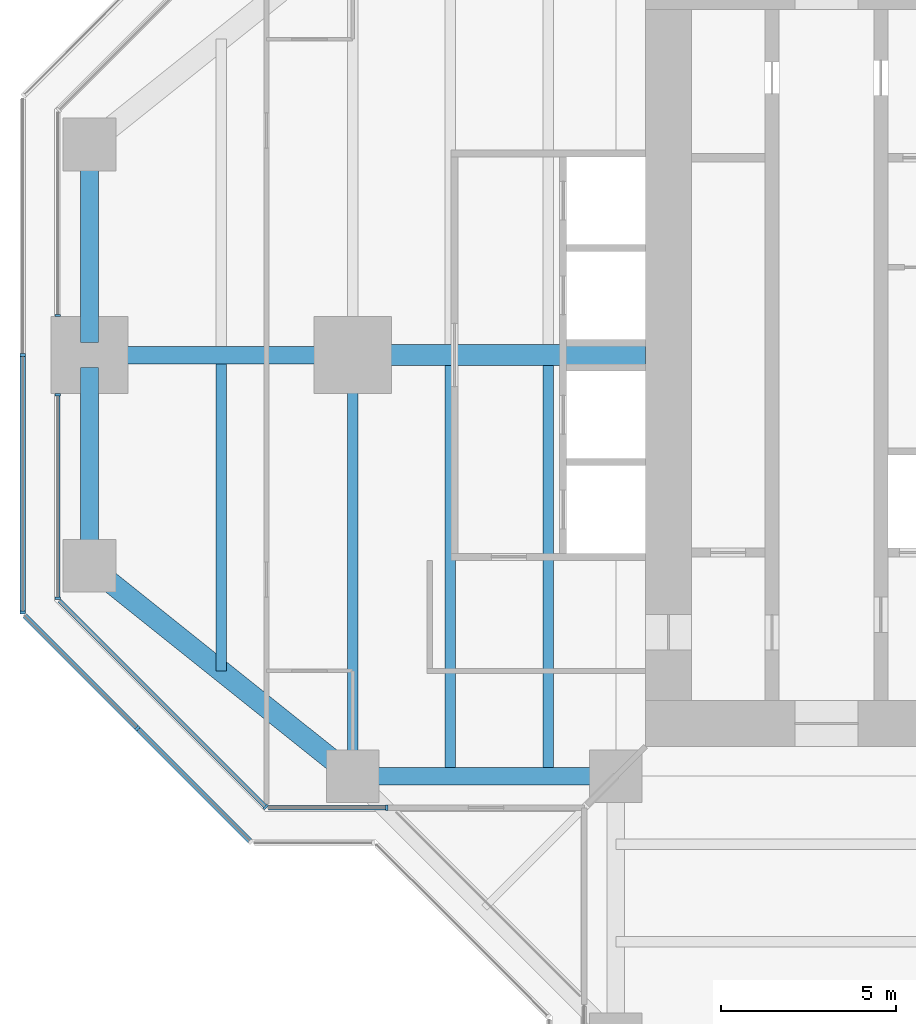
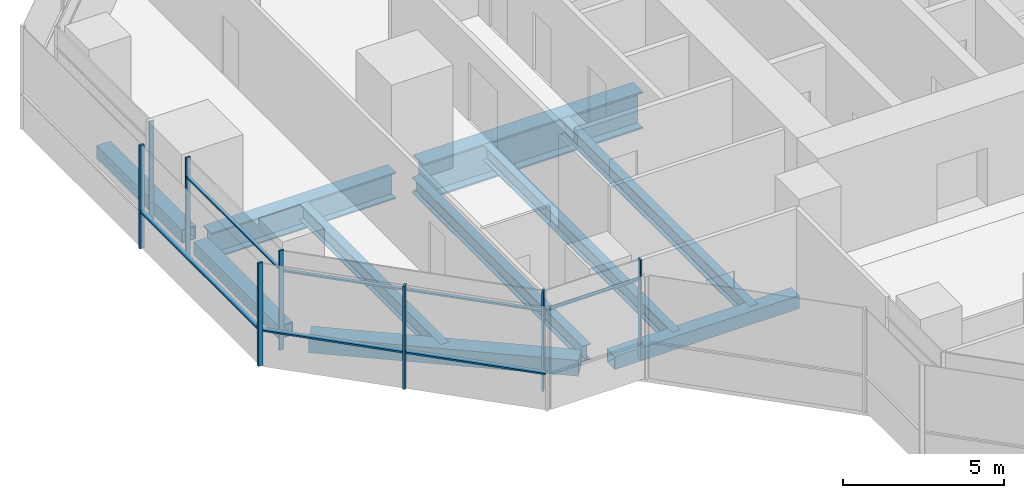
# One storey, part 3 of 17: 14 members, 10 beams, 6 elements without a shape of their own.
"""IFC4 building model written with IfcOpenShell, lengths in metres."""

from ifc_helpers import new_model, si_unit, direction, frame, origin, origin_2d, place, context, subcontext, project, spatial, rectangle, hollow_rectangle, i_section, extrude, material, material_profile, profile_set, type_object, element, aggregate, save


model = new_model("IFC4")

# Units and contexts
model_context = context("Model", 3, precision=1e-05, world=origin(), true_north=direction((0.0, 1.0)))
body_context = subcontext(model_context, "Body", "Model", "MODEL_VIEW")
ifc_project = project(units=[si_unit("LENGTHUNIT", "METRE"), si_unit("AREAUNIT", "SQUARE_METRE"), si_unit("VOLUMEUNIT", "CUBIC_METRE"), si_unit("PLANEANGLEUNIT", "RADIAN"), si_unit("MASSUNIT", "GRAM", prefix="KILO")], contexts=[model_context])

# Site, building, storey
site_placement = place(None, origin())
site = spatial("IfcSite", under=ifc_project, at=site_placement, CompositionType="ELEMENT")
building_placement = place(site_placement, origin())
building = spatial("IfcBuilding", under=site, at=building_placement, Name="Mizan Broadcast Tower", CompositionType="ELEMENT")
storey_placement = place(building_placement, frame((0.0, 0.0, 243.89990234375)))
storey = spatial("IfcBuildingStorey", under=building, at=storey_placement, Name="L57", CompositionType="ELEMENT", Elevation=243.89990234375)

# Beams
ifc_material_1 = material(Name="Steel S355", Category="steel")
ifc_material_profile_1 = material_profile(ifc_material_1, hollow_rectangle(XDim=0.5, YDim=0.5, WallThickness=0.030029296875, at=origin_2d()), Name="BOX 500x500x30")
ifc_profile_set_1 = profile_set([ifc_material_profile_1], Name="Steel S355")
beam_type_1 = type_object("IfcBeamType", Name="EDGE BEAM BOX 500x500x30", PredefinedType="SPANDREL", material=ifc_profile_set_1)
beam_1_placement = place(storey_placement, frame((-27.0, 5.639892578125, -0.3798828125), z_axis=(0.0, -1.0, 0.0), x_axis=(1.0, 0.0, 0.0)))
element("IfcBeam", 1, at=beam_1_placement, inside=storey, type_object=beam_type_1, Name="Edge beam BOX 500x500x30 L57 west arm", PredefinedType="SPANDREL", context=body_context, shape_type="SweptSolid", body=[
    extrude(hollow_rectangle(XDim=0.5, YDim=0.5, WallThickness=0.030029296875, at=origin_2d()), origin(), (0.0, 0.0, 1.0), 5.27978515625),
])
beam_2_placement = place(storey_placement, frame((-12.449951171875, -12.0, -0.3798828125), z_axis=(-1.0, 0.0, 0.0), x_axis=(0.0, -1.0, 0.0)))
element("IfcBeam", 2, at=beam_2_placement, inside=storey, type_object=beam_type_1, Name="Edge beam BOX 500x500x30 L57 west arm", PredefinedType="SPANDREL", context=body_context, shape_type="SweptSolid", body=[
    extrude(hollow_rectangle(XDim=0.5, YDim=0.5, WallThickness=0.030029296875, at=origin_2d()), origin(), (0.0, 0.0, 1.0), 6.60009765625),
])
beam_3_placement = place(storey_placement, frame((-27.0, -5.639892578125, -0.3798828125), z_axis=(0.0, 1.0, 0.0), x_axis=(-1.0, 0.0, 0.0)))
element("IfcBeam", 3, at=beam_3_placement, inside=storey, type_object=beam_type_1, Name="Edge beam BOX 500x500x30 L57 west arm", PredefinedType="SPANDREL", context=body_context, shape_type="SweptSolid", body=[
    extrude(hollow_rectangle(XDim=0.5, YDim=0.5, WallThickness=0.030029296875, at=origin_2d()), origin(), (0.0, 0.0, 1.0), 5.27978515625),
])
ifc_material_2 = material(Name="Steel S355", Category="steel")
ifc_material_profile_2 = material_profile(ifc_material_2, hollow_rectangle(XDim=0.60009765625, YDim=0.60009765625, WallThickness=0.030029296875, at=origin_2d()), Name="BOX 600x600x30")
ifc_profile_set_2 = profile_set([ifc_material_profile_2], Name="Steel S355")
beam_type_2 = type_object("IfcBeamType", Name="EDGE BEAM BOX 600x600x30", PredefinedType="SPANDREL", material=ifc_profile_set_2)
beam_4_placement = place(storey_placement, frame((-19.949951171875, -11.639892578125, -0.429931640625), z_axis=(-0.780885717636, 0.624673911726, 0.0), x_axis=(-0.624673911726, -0.780885717636, 0.0)))
element("IfcBeam", 4, at=beam_4_placement, inside=storey, type_object=beam_type_2, Name="Edge beam BOX 600x600x30 L57 west arm", PredefinedType="SPANDREL", context=body_context, shape_type="SweptSolid", body=[
    extrude(hollow_rectangle(XDim=0.60009765625, YDim=0.60009765625, WallThickness=0.030029296875, at=origin_2d()), origin(), (0.0, 0.0, 1.0), 8.4521484375),
])
ifc_material_3 = material(Name="Steel S355", Category="steel")
ifc_material_profile_3 = material_profile(ifc_material_3, i_section(OverallWidth=0.300048828125, OverallDepth=0.590087890625, WebThickness=0.012939453125, FlangeThickness=0.02490234375, FilletRadius=0.027099609375, at=origin_2d()), Name="HEA 600")
ifc_profile_set_3 = profile_set([ifc_material_profile_3], Name="Steel S355")
beam_type_3 = type_object("IfcBeamType", Name="GIRDER HEA 600", PredefinedType="BEAM", material=ifc_profile_set_3)
beam_5_placement = place(storey_placement, frame((-19.5, -11.280029296875, -0.4248046875), z_axis=(0.0, 1.0, 0.0), x_axis=(-1.0, 0.0, 0.0)))
element("IfcBeam", 5, at=beam_5_placement, inside=storey, type_object=beam_type_3, Name="Girder HEA 600 L57 west arm", PredefinedType="BEAM", context=body_context, shape_type="SweptSolid", body=[
    extrude(i_section(OverallWidth=0.300048828125, OverallDepth=0.590087890625, WebThickness=0.012939453125, FlangeThickness=0.02490234375, FilletRadius=0.027099609375, at=origin_2d()), origin(), (0.0, 0.0, 1.0), 10.56005859375),
])
ifc_material_4 = material(Name="Steel S460", Category="steel")
ifc_material_profile_4 = material_profile(ifc_material_4, i_section(OverallWidth=0.5, OverallDepth=1.0, WebThickness=0.02490234375, FlangeThickness=0.050048828125, at=origin_2d()), Name="WPG 1000x500")
ifc_profile_set_4 = profile_set([ifc_material_profile_4], Name="Steel S460")
beam_type_4 = type_object("IfcBeamType", Name="GIRDER WPG 1000x500", PredefinedType="BEAM", material=ifc_profile_set_4)
beam_6_placement = place(storey_placement, frame((-19.949951171875, 0.0, -0.6298828125), z_axis=(-1.0, 0.0, 0.0), x_axis=(0.0, -1.0, 0.0)))
element("IfcBeam", 6, at=beam_6_placement, inside=storey, type_object=beam_type_4, Name="Girder WPG 1000x500 L57 west arm", PredefinedType="BEAM", context=body_context, shape_type="SweptSolid", body=[
    extrude(i_section(OverallWidth=0.5, OverallDepth=1.0, WebThickness=0.02490234375, FlangeThickness=0.050048828125, at=origin_2d()), origin(), (0.0, 0.0, 1.0), 6.60009765625),
])
ifc_material_5 = material(Name="Steel S460", Category="steel")
ifc_material_profile_5 = material_profile(ifc_material_5, i_section(OverallWidth=0.60009765625, OverallDepth=1.39990234375, WebThickness=0.02490234375, FlangeThickness=0.06005859375, at=origin_2d()), Name="WPG 1400x600")
ifc_profile_set_5 = profile_set([ifc_material_profile_5], Name="Steel S460")
beam_type_5 = type_object("IfcBeamType", Name="GIRDER WPG 1400x600", PredefinedType="BEAM", material=ifc_profile_set_5)
beam_7_placement = place(storey_placement, frame((-11.14990234375, 0.0, -0.829833984375), z_axis=(-1.0, 0.0, 0.0), x_axis=(0.0, -1.0, 0.0)))
element("IfcBeam", 7, at=beam_7_placement, inside=storey, type_object=beam_type_5, Name="Girder WPG 1400x600 L57 west arm", PredefinedType="BEAM", context=body_context, shape_type="SweptSolid", body=[
    extrude(i_section(OverallWidth=0.60009765625, OverallDepth=1.39990234375, WebThickness=0.02490234375, FlangeThickness=0.06005859375, at=origin_2d()), origin(), (0.0, 0.0, 1.0), 7.84912109375),
])

# Curtain wall, member
ifc_material_6 = material(Name="Aluminium framed glazing", Category="aluminium")
curtain_wall_type_1 = type_object("IfcCurtainWallType", Name="INNER SKIN HIGH ZONE", PredefinedType="USERDEFINED", material=ifc_material_6)
curtain_wall_1_placement = place(storey_placement, origin())
curtain_wall_1 = element("IfcCurtainWall", 8, at=curtain_wall_1_placement, inside=storey, type_object=curtain_wall_type_1, Name="Inner skin high zone L57 W end", ObjectType="INNER SKIN HIGH ZONE", PredefinedType="USERDEFINED")
ifc_material_7 = material(Name="Aluminium, pale anodised", Category="aluminium")
ifc_material_profile_6 = material_profile(ifc_material_7, rectangle(XDim=0.159912109375, YDim=0.06005859375, at=origin_2d()), Name="MULLION 160x60")
ifc_profile_set_6 = profile_set([ifc_material_profile_6], Name="Aluminium, pale anodised")
member_type_1 = type_object("IfcMemberType", Name="INNER SKIN MULLION 60x160", PredefinedType="MULLION", material=ifc_profile_set_6)
member_1_placement = place(storey_placement, frame((-27.89990234375, 1.1298828125, 0.0), z_axis=(0.0, 0.0, 1.0), x_axis=(1.0, 0.0, 0.0)))
member_1 = element("IfcMember", 9, at=member_1_placement, type_object=member_type_1, Name="Inner skin high zone L57 W end mullion 2", PredefinedType="MULLION", context=body_context, shape_type="SweptSolid", body=[
    extrude(rectangle(XDim=0.159912109375, YDim=0.06005859375, at=origin_2d()), origin(), (0.0, 0.0, 1.0), 3.77001953125),
])
aggregate(curtain_wall_1, [member_1])

# Curtain wall, members
curtain_wall_2_placement = place(storey_placement, origin())
curtain_wall_2 = element("IfcCurtainWall", 10, at=curtain_wall_2_placement, inside=storey, type_object=curtain_wall_type_1, Name="Inner skin high zone L57 W end", ObjectType="INNER SKIN HIGH ZONE", PredefinedType="USERDEFINED")
member_2_placement = place(storey_placement, frame((-27.89990234375, -1.1298828125, 0.0), z_axis=(0.0, 0.0, 1.0), x_axis=(1.0, 0.0, 0.0)))
member_2 = element("IfcMember", 11, at=member_2_placement, type_object=member_type_1, Name="Inner skin high zone L57 W end mullion 1", PredefinedType="MULLION", context=body_context, shape_type="SweptSolid", body=[
    extrude(rectangle(XDim=0.159912109375, YDim=0.06005859375, at=origin_2d()), origin(), (0.0, 0.0, 1.0), 3.77001953125),
])
member_3_placement = place(storey_placement, frame((-27.89990234375, -6.928466796875, 0.0), z_axis=(0.0, 0.0, 1.0), x_axis=(1.0, 0.0, 0.0)))
member_3 = element("IfcMember", 12, at=member_3_placement, type_object=member_type_1, Name="Inner skin high zone L57 W end mullion 2", PredefinedType="MULLION", context=body_context, shape_type="SweptSolid", body=[
    extrude(rectangle(XDim=0.159912109375, YDim=0.06005859375, at=origin_2d()), origin(), (0.0, 0.0, 1.0), 3.77001953125),
])

# Curtain wall, member
curtain_wall_3_placement = place(storey_placement, origin())
curtain_wall_3 = element("IfcCurtainWall", 13, at=curtain_wall_3_placement, inside=storey, type_object=curtain_wall_type_1, Name="Inner skin high zone L57 W chamfer", ObjectType="INNER SKIN HIGH ZONE", PredefinedType="USERDEFINED")
member_4_placement = place(storey_placement, frame((-21.979736328125, -12.87890625, 0.0), z_axis=(0.0, 0.0, 1.0), x_axis=(0.707106781187, 0.707106781187, 0.0)))
member_4 = element("IfcMember", 14, at=member_4_placement, type_object=member_type_1, Name="Inner skin high zone L57 W chamfer mullion 2", PredefinedType="MULLION", context=body_context, shape_type="SweptSolid", body=[
    extrude(rectangle(XDim=0.159912109375, YDim=0.06005859375, at=origin_2d()), origin(), (0.0, 0.0, 1.0), 3.77001953125),
])

curtain_wall_4_placement = place(storey_placement, origin())
curtain_wall_4 = element("IfcCurtainWall", 15, at=curtain_wall_4_placement, inside=storey, type_object=curtain_wall_type_1, Name="Inner skin high zone L57 W side", ObjectType="INNER SKIN HIGH ZONE", PredefinedType="USERDEFINED")
member_5_placement = place(storey_placement, frame((-18.530029296875, -12.89990234375, 0.0), z_axis=(0.0, 0.0, 1.0), x_axis=(0.0, 1.0, 0.0)))
member_5 = element("IfcMember", 16, at=member_5_placement, type_object=member_type_1, Name="Inner skin high zone L57 W side mullion 2", PredefinedType="MULLION", context=body_context, shape_type="SweptSolid", body=[
    extrude(rectangle(XDim=0.159912109375, YDim=0.06005859375, at=origin_2d()), origin(), (0.0, 0.0, 1.0), 3.77001953125),
])

# Member
ifc_material_8 = material(Name="Aluminium, pale anodised", Category="aluminium")
ifc_material_profile_7 = material_profile(ifc_material_8, rectangle(XDim=0.1201171875, YDim=0.06005859375, at=origin_2d()), Name="TRANSOM 120x60")
ifc_profile_set_7 = profile_set([ifc_material_profile_7], Name="Aluminium, pale anodised")
member_type_2 = type_object("IfcMemberType", Name="INNER SKIN TRANSOM 60x120", PredefinedType="USERDEFINED", material=ifc_profile_set_7)
member_6_placement = place(storey_placement, frame((-27.89990234375, -1.159912109375, 3.030029296875), z_axis=(0.0, -1.0, 0.0), x_axis=(1.0, 0.0, 0.0)))
member_6 = element("IfcMember", 17, at=member_6_placement, type_object=member_type_2, Name="Inner skin high zone L57 W end transom 1.1", ObjectType="TRANSOM", PredefinedType="USERDEFINED", context=body_context, shape_type="SweptSolid", body=[
    extrude(rectangle(XDim=0.1201171875, YDim=0.06005859375, at=origin_2d()), origin(), (0.0, 0.0, 1.0), 5.73876953125),
])

aggregate(curtain_wall_2, [member_2, member_3, member_6])

member_7_placement = place(storey_placement, frame((-27.857666015625, -7.0009765625, 3.030029296875), z_axis=(0.707106781187, -0.707106781187, 0.0), x_axis=(0.707106781187, 0.707106781187, 0.0)))
member_7 = element("IfcMember", 18, at=member_7_placement, type_object=member_type_2, Name="Inner skin high zone L57 W chamfer transom 1.1", ObjectType="TRANSOM", PredefinedType="USERDEFINED", context=body_context, shape_type="SweptSolid", body=[
    extrude(rectangle(XDim=0.1201171875, YDim=0.06005859375, at=origin_2d()), origin(), (0.0, 0.0, 1.0), 8.28271484375),
])

aggregate(curtain_wall_3, [member_4, member_7])

member_8_placement = place(storey_placement, frame((-21.898681640625, -12.89990234375, 3.030029296875), z_axis=(1.0, 0.0, 0.0), x_axis=(0.0, 1.0, 0.0)))
member_8 = element("IfcMember", 19, at=member_8_placement, type_object=member_type_2, Name="Inner skin high zone L57 W side transom 1.1", ObjectType="TRANSOM", PredefinedType="USERDEFINED", context=body_context, shape_type="SweptSolid", body=[
    extrude(rectangle(XDim=0.1201171875, YDim=0.06005859375, at=origin_2d()), origin(), (0.0, 0.0, 1.0), 3.338623046875),
])

aggregate(curtain_wall_4, [member_5, member_8])

# Curtain wall, members
ifc_material_9 = material(Name="Aluminium framed glazing", Category="aluminium")
curtain_wall_type_2 = type_object("IfcCurtainWallType", Name="OUTER SKIN", PredefinedType="USERDEFINED", material=ifc_material_9)
curtain_wall_5_placement = place(storey_placement, origin())
curtain_wall_5 = element("IfcCurtainWall", 20, at=curtain_wall_5_placement, inside=storey, type_object=curtain_wall_type_2, Name="Outer skin L57 W end", ObjectType="OUTER SKIN", PredefinedType="USERDEFINED")
ifc_material_10 = material(Name="Aluminium, pale anodised", Category="aluminium")
ifc_material_profile_8 = material_profile(ifc_material_10, rectangle(XDim=0.159912109375, YDim=0.080078125, at=origin_2d()), Name="MULLION 160x80")
ifc_profile_set_8 = profile_set([ifc_material_profile_8], Name="Aluminium, pale anodised")
member_type_3 = type_object("IfcMemberType", Name="OUTER SKIN MULLION 80x160", PredefinedType="MULLION", material=ifc_profile_set_8)
member_9_placement = place(storey_placement, frame((-28.89990234375, 0.0, 0.0), z_axis=(0.0, 0.0, 1.0), x_axis=(1.0, 0.0, 0.0)))
member_9 = element("IfcMember", 21, at=member_9_placement, type_object=member_type_3, Name="Outer skin L57 W end mullion 2", PredefinedType="MULLION", context=body_context, shape_type="SweptSolid", body=[
    extrude(rectangle(XDim=0.159912109375, YDim=0.080078125, at=origin_2d()), origin(), (0.0, 0.0, 1.0), 3.900146484375),
])
member_10_placement = place(storey_placement, frame((-28.89990234375, -7.332763671875, 0.0), z_axis=(0.0, 0.0, 1.0), x_axis=(1.0, 0.0, 0.0)))
member_10 = element("IfcMember", 22, at=member_10_placement, type_object=member_type_3, Name="Outer skin L57 W end mullion 3", PredefinedType="MULLION", context=body_context, shape_type="SweptSolid", body=[
    extrude(rectangle(XDim=0.159912109375, YDim=0.080078125, at=origin_2d()), origin(), (0.0, 0.0, 1.0), 3.900146484375),
])

# Curtain wall, member
curtain_wall_6_placement = place(storey_placement, origin())
curtain_wall_6 = element("IfcCurtainWall", 23, at=curtain_wall_6_placement, inside=storey, type_object=curtain_wall_type_2, Name="Outer skin L57 W chamfer", ObjectType="OUTER SKIN", PredefinedType="USERDEFINED")
member_11_placement = place(storey_placement, frame((-25.636474609375, -10.636474609375, 0.0), z_axis=(0.0, 0.0, 1.0), x_axis=(0.707106781187, 0.707106781187, 0.0)))
member_11 = element("IfcMember", 24, at=member_11_placement, type_object=member_type_3, Name="Outer skin L57 W chamfer mullion 2", PredefinedType="MULLION", context=body_context, shape_type="SweptSolid", body=[
    extrude(rectangle(XDim=0.159912109375, YDim=0.080078125, at=origin_2d()), origin(), (0.0, 0.0, 1.0), 3.900146484375),
])

# Member
ifc_material_11 = material(Name="Aluminium, pale anodised", Category="aluminium")
ifc_material_profile_9 = material_profile(ifc_material_11, rectangle(XDim=0.159912109375, YDim=0.06005859375, at=origin_2d()), Name="TRANSOM 160x60")
ifc_profile_set_9 = profile_set([ifc_material_profile_9], Name="Aluminium, pale anodised")
member_type_4 = type_object("IfcMemberType", Name="OUTER SKIN TRANSOM 60x160", PredefinedType="USERDEFINED", material=ifc_profile_set_9)
member_12_placement = place(storey_placement, frame((-28.89990234375, -0.0400390625, 1.400146484375), z_axis=(0.0, -1.0, 0.0), x_axis=(1.0, 0.0, 0.0)))
member_12 = element("IfcMember", 25, at=member_12_placement, type_object=member_type_4, Name="Outer skin L57 W end transom 2.1", ObjectType="TRANSOM", PredefinedType="USERDEFINED", context=body_context, shape_type="SweptSolid", body=[
    extrude(rectangle(XDim=0.159912109375, YDim=0.06005859375, at=origin_2d()), origin(), (0.0, 0.0, 1.0), 7.252685546875),
])

aggregate(curtain_wall_5, [member_9, member_10, member_12])

member_13_placement = place(storey_placement, frame((-28.843505859375, -7.429443359375, 1.400146484375), z_axis=(0.707106781187, -0.707106781187, 0.0), x_axis=(0.707106781187, 0.707106781187, 0.0)))
member_13 = element("IfcMember", 26, at=member_13_placement, type_object=member_type_4, Name="Outer skin L57 W chamfer transom 1.1", ObjectType="TRANSOM", PredefinedType="USERDEFINED", context=body_context, shape_type="SweptSolid", body=[
    extrude(rectangle(XDim=0.159912109375, YDim=0.06005859375, at=origin_2d()), origin(), (0.0, 0.0, 1.0), 4.495361328125),
])

member_14_placement = place(storey_placement, frame((-25.608154296875, -10.664794921875, 1.400146484375), z_axis=(0.707106781187, -0.707106781187, 0.0), x_axis=(0.707106781187, 0.707106781187, 0.0)))
member_14 = element("IfcMember", 27, at=member_14_placement, type_object=member_type_4, Name="Outer skin L57 W chamfer transom 2.1", ObjectType="TRANSOM", PredefinedType="USERDEFINED", context=body_context, shape_type="SweptSolid", body=[
    extrude(rectangle(XDim=0.159912109375, YDim=0.06005859375, at=origin_2d()), origin(), (0.0, 0.0, 1.0), 4.495361328125),
])

aggregate(curtain_wall_6, [member_11, member_13, member_14])

# Beams
ifc_material_12 = material(Name="Steel S355", Category="steel")
ifc_material_profile_10 = material_profile(ifc_material_12, i_section(OverallWidth=0.300048828125, OverallDepth=0.590087890625, WebThickness=0.012939453125, FlangeThickness=0.02490234375, FilletRadius=0.027099609375, at=origin_2d()), Name="HEA 600")
ifc_profile_set_10 = profile_set([ifc_material_profile_10], Name="Steel S355")
beam_type_6 = type_object("IfcBeamType", Name="SECONDARY BEAM HEA 600", PredefinedType="JOIST", material=ifc_profile_set_10)
for number, where, z_axis, x_axis, name in (
    (28, (-13.933349609375, -12.0, -0.4248046875), (0.0, 1.0, 0.0), (-1.0, 0.0, 0.0), "Secondary beam HEA 600 L57 west arm"),
    (29, (-16.716552734375, -12.0, -0.4248046875), (0.0, 1.0, 0.0), (-1.0, 0.0, 0.0), "Secondary beam HEA 600 L57 west arm"),
):
    element("IfcBeam", number, at=place(storey_placement, frame(where, z_axis=z_axis, x_axis=x_axis)), inside=storey, type_object=beam_type_6, Name=name, PredefinedType="JOIST", context=body_context, shape_type="SweptSolid", body=[
        extrude(i_section(OverallWidth=0.300048828125, OverallDepth=0.590087890625, WebThickness=0.012939453125, FlangeThickness=0.02490234375, FilletRadius=0.027099609375, at=origin_2d()), origin(), (0.0, 0.0, 1.0), 11.699951171875),
    ])
beam_8_placement = place(storey_placement, frame((-23.25, -9.0, -0.4248046875), z_axis=(0.0, 1.0, 0.0), x_axis=(-1.0, 0.0, 0.0)))
element("IfcBeam", 30, at=beam_8_placement, inside=storey, type_object=beam_type_6, Name="Secondary beam HEA 600 L57 west arm", PredefinedType="JOIST", context=body_context, shape_type="SweptSolid", body=[
    extrude(i_section(OverallWidth=0.300048828125, OverallDepth=0.590087890625, WebThickness=0.012939453125, FlangeThickness=0.02490234375, FilletRadius=0.027099609375, at=origin_2d()), origin(), (0.0, 0.0, 1.0), 8.75),
])

save(model, "model.ifc")
